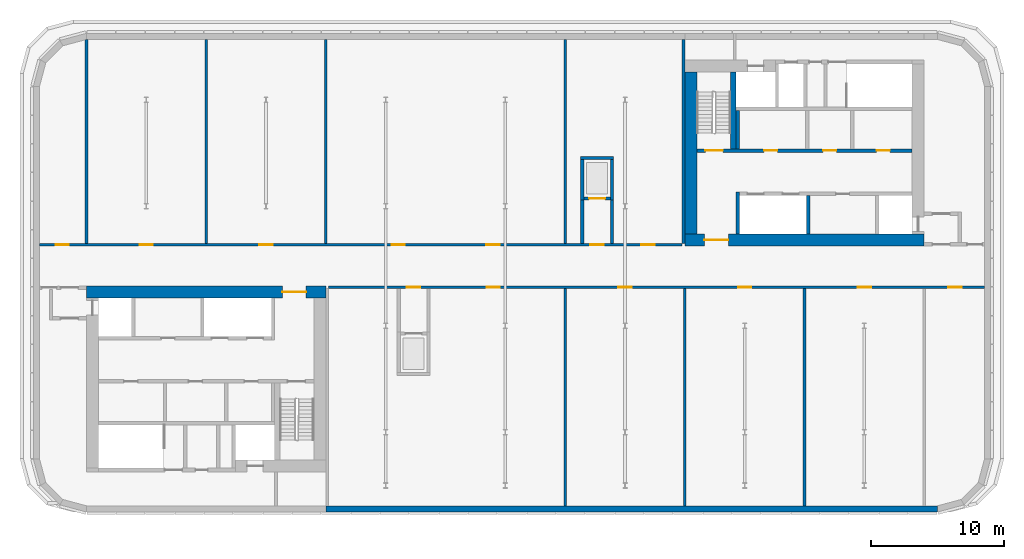
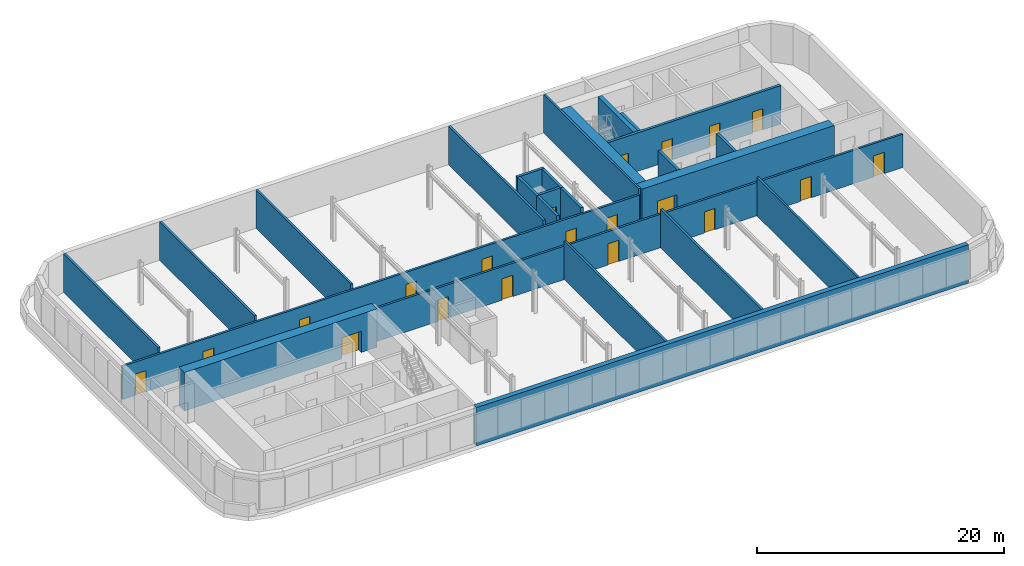
# One storey, part 5 of 10: 25 walls, 20 doors, 20 openings.
"""IFC4 building model written with IfcOpenShell, lengths in metres."""

from ifc_helpers import new_model, si_unit, direction, frame, frame_2d, origin, place, context, subcontext, project, spatial, rectangle, extrude, material, layer, layer_set, type_object, element, fill, save


model = new_model("IFC4")

# Units and contexts
model_context = context("Model", 3, precision=1e-05, world=origin(), true_north=direction((0.0, 1.0)))
body_context = subcontext(model_context, "Body", "Model", "MODEL_VIEW")
ifc_project = project(units=[si_unit("LENGTHUNIT", "METRE"), si_unit("AREAUNIT", "SQUARE_METRE"), si_unit("VOLUMEUNIT", "CUBIC_METRE"), si_unit("PLANEANGLEUNIT", "RADIAN"), si_unit("MASSUNIT", "GRAM", prefix="KILO")], contexts=[model_context])

# Site, building, storey
site_placement = place(None, origin())
site = spatial("IfcSite", under=ifc_project, at=site_placement, CompositionType="ELEMENT")
building_placement = place(site_placement, origin())
building = spatial("IfcBuilding", under=site, at=building_placement, Name="Kajstack Hotel Tower", CompositionType="ELEMENT")
storey_placement = place(building_placement, frame((0.0, 0.0, 313.60009765625)))
storey = spatial("IfcBuildingStorey", under=building, at=storey_placement, Name="L79", CompositionType="ELEMENT", Elevation=313.60009765625)

# Wall, opening, door
ifc_material_1 = material(Name="Concrete C60/75", Category="concrete")
ifc_layer_1 = layer(ifc_material_1, 0.89990234375)
ifc_layer_set_1 = layer_set([ifc_layer_1], Name="Core wall 900")
wall_type_1 = type_object("IfcWallType", Name="Core wall 900", PredefinedType="SHEAR", material=ifc_layer_set_1)
wall_1_placement = place(storey_placement, frame((-31.5, -1.949951171875, 0.0), z_axis=(0.0, 0.0, 1.0), x_axis=(1.0, 0.0, 0.0)))
wall_1 = element("IfcWall", 1, at=wall_1_placement, inside=storey, type_object=wall_type_1, Name="Core wall W RN", PredefinedType="SHEAR", context=body_context, shape_type="SweptSolid", body=[
    extrude(rectangle(XDim=18.0, YDim=0.89990234375, at=frame_2d((9.0, 0.0))), origin(), (0.0, 0.0, 1.0), 3.7998046875),
])
opening_1_placement = place(wall_1_placement, frame((14.72509765625, 0.0, 0.0)))
opening_1 = element("IfcOpeningElement", 2, at=opening_1_placement, cuts=wall_1, Name="Opening 79W06", PredefinedType="OPENING", context=body_context, shape_type="SweptSolid", body=[
    extrude(rectangle(XDim=1.800048828125, YDim=2.10009765625, at=frame_2d((0.89990234375, 1.050048828125))), frame((0.0, 0.4599609375, 0.0), z_axis=(0.0, -1.0, 0.0), x_axis=(1.0, 0.0, 0.0)), (0.0, 0.0, 1.0), 0.919921875),
])
ifc_material_2 = material(Name="Glazed steel frame, fire-rated glass", Category="steel")
door_type_1 = type_object("IfcDoorType", Name="Lobby double door 1800", OperationType="DOUBLE_DOOR_DOUBLE_SWING", PredefinedType="DOOR", material=ifc_material_2)
door_1_placement = place(opening_1_placement, origin())
door_1 = element("IfcDoor", 3, at=door_1_placement, inside=storey, type_object=door_type_1, Name="Door 79W06", OperationType="DOUBLE_DOOR_DOUBLE_SWING", OverallHeight=2.10009765625, OverallWidth=1.800048828125, PredefinedType="DOOR", context=body_context, shape_type="SweptSolid", body=[
    extrude(rectangle(XDim=1.800048828125, YDim=2.10009765625, at=frame_2d((0.89990234375, 1.050048828125))), frame((0.0, 0.02490234375, 0.0), z_axis=(0.0, -1.0, 0.0), x_axis=(1.0, 0.0, 0.0)), (0.0, 0.0, 1.0), 0.050048828125),
])
fill(opening_1, door_1)

wall_2_placement = place(storey_placement, frame((13.5, 1.949951171875, 0.0), z_axis=(0.0, 0.0, 1.0), x_axis=(1.0, 0.0, 0.0)))
wall_2 = element("IfcWall", 4, at=wall_2_placement, inside=storey, type_object=wall_type_1, Name="Core wall E RN", PredefinedType="SHEAR", context=body_context, shape_type="SweptSolid", body=[
    extrude(rectangle(XDim=18.0, YDim=0.89990234375, at=frame_2d((9.0, 0.0))), origin(), (0.0, 0.0, 1.0), 3.7998046875),
])
opening_2_placement = place(wall_2_placement, frame((1.47509765625, 0.0, 0.0)))
opening_2 = element("IfcOpeningElement", 5, at=opening_2_placement, cuts=wall_2, Name="Opening 79E06", PredefinedType="OPENING", context=body_context, shape_type="SweptSolid", body=[
    extrude(rectangle(XDim=1.800048828125, YDim=2.10009765625, at=frame_2d((0.89990234375, 1.050048828125))), frame((0.0, 0.4599609375, 0.0), z_axis=(0.0, -1.0, 0.0), x_axis=(1.0, 0.0, 0.0)), (0.0, 0.0, 1.0), 0.919921875),
])
door_2_placement = place(opening_2_placement, origin())
door_2 = element("IfcDoor", 6, at=door_2_placement, inside=storey, type_object=door_type_1, Name="Door 79E06", OperationType="DOUBLE_DOOR_DOUBLE_SWING", OverallHeight=2.10009765625, OverallWidth=1.800048828125, PredefinedType="DOOR", context=body_context, shape_type="SweptSolid", body=[
    extrude(rectangle(XDim=1.800048828125, YDim=2.10009765625, at=frame_2d((0.89990234375, 1.050048828125))), frame((0.0, 0.02490234375, 0.0), z_axis=(0.0, -1.0, 0.0), x_axis=(1.0, 0.0, 0.0)), (0.0, 0.0, 1.0), 0.050048828125),
])
fill(opening_2, door_2)

# Walls
wall_3_placement = place(storey_placement, frame((13.949951171875, 2.39990234375, 0.0), z_axis=(0.0, 0.0, 1.0), x_axis=(0.0, 1.0, 0.0)))
element("IfcWall", 7, at=wall_3_placement, inside=storey, type_object=wall_type_1, Name="Core wall E RE", PredefinedType="SHEAR", context=body_context, shape_type="SweptSolid", body=[
    extrude(rectangle(XDim=12.2001953125, YDim=0.89990234375, at=frame_2d((6.10009765625, 0.0))), origin(), (0.0, 0.0, 1.0), 3.7998046875),
])
ifc_material_3 = material(Name="Zinc-clad block masonry", Category="masonry")
ifc_layer_2 = layer(ifc_material_3, 0.449951171875)
ifc_layer_set_2 = layer_set([ifc_layer_2], Name="EW-ZINC")
wall_type_2 = type_object("IfcWallType", Name="EW-ZINC", PredefinedType="SOLIDWALL", material=ifc_layer_set_2)
wall_4_placement = place(storey_placement, frame((-13.5, -18.27490234375, 0.0), z_axis=(0.0, 0.0, 1.0), x_axis=(1.0, 0.0, 0.0)))
element("IfcWall", 8, at=wall_4_placement, inside=storey, type_object=wall_type_2, Name="E-wall-L79-03-01", PredefinedType="SOLIDWALL", context=body_context, shape_type="SweptSolid", body=[
    extrude(rectangle(XDim=46.0, YDim=0.449951171875, at=frame_2d((23.0, 0.0))), origin(), (0.0, 0.0, 1.0), 3.7998046875),
])
ifc_material_4 = material(Name="Concrete C50/60", Category="concrete")
ifc_layer_3 = layer(ifc_material_4, 0.300048828125)
ifc_layer_set_3 = layer_set([ifc_layer_3], Name="Hoistway divider wall 300")
wall_type_3 = type_object("IfcWallType", Name="Hoistway divider wall 300", PredefinedType="SHEAR", material=ifc_layer_set_3)
wall_5_placement = place(storey_placement, frame((22.77490234375, 2.39990234375, 0.0), z_axis=(0.0, 0.0, 1.0), x_axis=(0.0, 1.0, 0.0)))
element("IfcWall", 9, at=wall_5_placement, inside=storey, type_object=wall_type_3, Name="Core wall E AP2", PredefinedType="SHEAR", context=body_context, shape_type="SweptSolid", body=[
    extrude(rectangle(XDim=2.900146484375, YDim=0.25, at=frame_2d((1.4501953125, 0.0))), origin(), (0.0, 0.0, 1.0), 3.7998046875),
])
ifc_material_5 = material(Name="Gypsum board on steel studs, mineral wool", Category="steel")
ifc_layer_4 = layer(ifc_material_5, 0.199951171875)
ifc_layer_set_4 = layer_set([ifc_layer_4], Name="Public partition 200")
wall_type_4 = type_object("IfcWallType", Name="Public partition 200", PredefinedType="PARTITIONING", material=ifc_layer_set_4)
for number, where, z_axis, x_axis, name in (
    (10, (4.5, 1.699951171875, 0.0), (0.0, 0.0, 1.0), (0.0, 1.0, 0.0), "Partition PX0"),
    (11, (-13.5, 1.699951171875, 0.0), (0.0, 0.0, 1.0), (0.0, 1.0, 0.0), "Partition PX1"),
    (12, (-22.5, 1.699951171875, 0.0), (0.0, 0.0, 1.0), (0.0, 1.0, 0.0), "Partition PX2"),
):
    element("IfcWall", number, at=place(storey_placement, frame(where, z_axis=z_axis, x_axis=x_axis)), inside=storey, type_object=wall_type_4, Name=name, PredefinedType="PARTITIONING", context=body_context, shape_type="SweptSolid", body=[
        extrude(rectangle(XDim=15.35009765625, YDim=0.199951171875, at=frame_2d((7.675048828125, 0.0))), origin(), (0.0, 0.0, 1.0), 3.7998046875),
    ])
wall_6_placement = place(storey_placement, frame((-31.5, 1.699951171875, 0.0), z_axis=(0.0, 0.0, 1.0), x_axis=(0.0, 1.0, 0.0)))
element("IfcWall", 13, at=wall_6_placement, inside=storey, type_object=wall_type_4, Name="Partition PX3", PredefinedType="PARTITIONING", context=body_context, shape_type="SweptSolid", body=[
    extrude(rectangle(XDim=15.334228515625, YDim=0.199951171875, at=frame_2d((7.6669921875, 0.0))), origin(), (0.0, 0.0, 1.0), 3.7998046875),
])

# Wall, openings, doors
wall_7_placement = place(storey_placement, frame((-35.050048828125, 1.60009765625, 0.0), z_axis=(0.0, 0.0, 1.0), x_axis=(1.0, 0.0, 0.0)))
wall_7 = element("IfcWall", 14, at=wall_7_placement, inside=storey, type_object=wall_type_4, Name="Partition FW", PredefinedType="PARTITIONING", context=body_context, shape_type="SweptSolid", body=[
    extrude(rectangle(XDim=48.35009765625, YDim=0.199951171875, at=frame_2d((24.175048828125, 0.0))), origin(), (0.0, 0.0, 1.0), 3.2998046875),
])
opening_3_placement = place(wall_7_placement, frame((45.27490234375, 0.0, 0.0)))
opening_3 = element("IfcOpeningElement", 15, at=opening_3_placement, cuts=wall_7, Name="Opening 79P01", PredefinedType="OPENING", context=body_context, shape_type="SweptSolid", body=[
    extrude(rectangle(XDim=1.0, YDim=2.10009765625, at=frame_2d((0.5, 1.050048828125))), frame((0.0, 0.10986328125, 0.0), z_axis=(0.0, -1.0, 0.0), x_axis=(1.0, 0.0, 0.0)), (0.0, 0.0, 1.0), 0.219970703125),
])
opening_4_placement = place(wall_7_placement, frame((33.610107421875, 0.0, 0.0)))
opening_4 = element("IfcOpeningElement", 16, at=opening_4_placement, cuts=wall_7, Name="Opening 79P02", PredefinedType="OPENING", context=body_context, shape_type="SweptSolid", body=[
    extrude(rectangle(XDim=1.0, YDim=2.10009765625, at=frame_2d((0.5, 1.050048828125))), frame((0.0, 0.10986328125, 0.0), z_axis=(0.0, -1.0, 0.0), x_axis=(1.0, 0.0, 0.0)), (0.0, 0.0, 1.0), 0.219970703125),
])
opening_5_placement = place(wall_7_placement, frame((26.489990234375, 0.0, 0.0)))
opening_5 = element("IfcOpeningElement", 17, at=opening_5_placement, cuts=wall_7, Name="Opening 79P03", PredefinedType="OPENING", context=body_context, shape_type="SweptSolid", body=[
    extrude(rectangle(XDim=1.0, YDim=2.10009765625, at=frame_2d((0.5, 1.050048828125))), frame((0.0, 0.10986328125, 0.0), z_axis=(0.0, -1.0, 0.0), x_axis=(1.0, 0.0, 0.0)), (0.0, 0.0, 1.0), 0.219970703125),
])
opening_6_placement = place(wall_7_placement, frame((16.550048828125, 0.0, 0.0)))
opening_6 = element("IfcOpeningElement", 18, at=opening_6_placement, cuts=wall_7, Name="Opening 79P04", PredefinedType="OPENING", context=body_context, shape_type="SweptSolid", body=[
    extrude(rectangle(XDim=1.0, YDim=2.10009765625, at=frame_2d((0.5, 1.050048828125))), frame((0.0, 0.10986328125, 0.0), z_axis=(0.0, -1.0, 0.0), x_axis=(1.0, 0.0, 0.0)), (0.0, 0.0, 1.0), 0.219970703125),
])
opening_7_placement = place(wall_7_placement, frame((7.550048828125, 0.0, 0.0)))
opening_7 = element("IfcOpeningElement", 19, at=opening_7_placement, cuts=wall_7, Name="Opening 79P05", PredefinedType="OPENING", context=body_context, shape_type="SweptSolid", body=[
    extrude(rectangle(XDim=1.0, YDim=2.10009765625, at=frame_2d((0.5, 1.050048828125))), frame((0.0, 0.10986328125, 0.0), z_axis=(0.0, -1.0, 0.0), x_axis=(1.0, 0.0, 0.0)), (0.0, 0.0, 1.0), 0.219970703125),
])
opening_8_placement = place(wall_7_placement, frame((1.22509765625, 0.0, 0.0)))
opening_8 = element("IfcOpeningElement", 20, at=opening_8_placement, cuts=wall_7, Name="Opening 79P06", PredefinedType="OPENING", context=body_context, shape_type="SweptSolid", body=[
    extrude(rectangle(XDim=1.0, YDim=2.10009765625, at=frame_2d((0.5, 1.050048828125))), frame((0.0, 0.10986328125, 0.0), z_axis=(0.0, -1.0, 0.0), x_axis=(1.0, 0.0, 0.0)), (0.0, 0.0, 1.0), 0.219970703125),
])
opening_9_placement = place(wall_7_placement, frame((41.449951171875, 0.0, 0.0)))
opening_9 = element("IfcOpeningElement", 21, at=opening_9_placement, cuts=wall_7, Name="Opening 79P13", PredefinedType="OPENING", context=body_context, shape_type="SweptSolid", body=[
    extrude(rectangle(XDim=1.0, YDim=2.10009765625, at=frame_2d((0.5, 1.050048828125))), frame((0.0, 0.10986328125, 0.0), z_axis=(0.0, -1.0, 0.0), x_axis=(1.0, 0.0, 0.0)), (0.0, 0.0, 1.0), 0.219970703125),
])
ifc_material_6 = material(Name="Timber leaf", Category="wood")
door_type_2 = type_object("IfcDoorType", Name="Public room door 1000", OperationType="SINGLE_SWING_LEFT", PredefinedType="DOOR", material=ifc_material_6)
door_3_placement = place(opening_3_placement, origin())
door_3 = element("IfcDoor", 22, at=door_3_placement, inside=storey, type_object=door_type_2, Name="Door 79P01", OperationType="SINGLE_SWING_LEFT", OverallHeight=2.10009765625, OverallWidth=1.0, PredefinedType="DOOR", context=body_context, shape_type="SweptSolid", body=[
    extrude(rectangle(XDim=1.0, YDim=2.10009765625, at=frame_2d((0.5, 1.050048828125))), frame((0.0, 0.02490234375, 0.0), z_axis=(0.0, -1.0, 0.0), x_axis=(1.0, 0.0, 0.0)), (0.0, 0.0, 1.0), 0.050048828125),
])
fill(opening_3, door_3)
door_4_placement = place(opening_4_placement, origin())
door_4 = element("IfcDoor", 23, at=door_4_placement, inside=storey, type_object=door_type_2, Name="Door 79P02", OperationType="SINGLE_SWING_LEFT", OverallHeight=2.10009765625, OverallWidth=1.0, PredefinedType="DOOR", context=body_context, shape_type="SweptSolid", body=[
    extrude(rectangle(XDim=1.0, YDim=2.10009765625, at=frame_2d((0.5, 1.050048828125))), frame((0.0, 0.02490234375, 0.0), z_axis=(0.0, -1.0, 0.0), x_axis=(1.0, 0.0, 0.0)), (0.0, 0.0, 1.0), 0.050048828125),
])
fill(opening_4, door_4)
door_5_placement = place(opening_5_placement, origin())
door_5 = element("IfcDoor", 24, at=door_5_placement, inside=storey, type_object=door_type_2, Name="Door 79P03", OperationType="SINGLE_SWING_LEFT", OverallHeight=2.10009765625, OverallWidth=1.0, PredefinedType="DOOR", context=body_context, shape_type="SweptSolid", body=[
    extrude(rectangle(XDim=1.0, YDim=2.10009765625, at=frame_2d((0.5, 1.050048828125))), frame((0.0, 0.02490234375, 0.0), z_axis=(0.0, -1.0, 0.0), x_axis=(1.0, 0.0, 0.0)), (0.0, 0.0, 1.0), 0.050048828125),
])
fill(opening_5, door_5)
door_6_placement = place(opening_6_placement, origin())
door_6 = element("IfcDoor", 25, at=door_6_placement, inside=storey, type_object=door_type_2, Name="Door 79P04", OperationType="SINGLE_SWING_LEFT", OverallHeight=2.10009765625, OverallWidth=1.0, PredefinedType="DOOR", context=body_context, shape_type="SweptSolid", body=[
    extrude(rectangle(XDim=1.0, YDim=2.10009765625, at=frame_2d((0.5, 1.050048828125))), frame((0.0, 0.02490234375, 0.0), z_axis=(0.0, -1.0, 0.0), x_axis=(1.0, 0.0, 0.0)), (0.0, 0.0, 1.0), 0.050048828125),
])
fill(opening_6, door_6)
door_7_placement = place(opening_7_placement, origin())
door_7 = element("IfcDoor", 26, at=door_7_placement, inside=storey, type_object=door_type_2, Name="Door 79P05", OperationType="SINGLE_SWING_LEFT", OverallHeight=2.10009765625, OverallWidth=1.0, PredefinedType="DOOR", context=body_context, shape_type="SweptSolid", body=[
    extrude(rectangle(XDim=1.0, YDim=2.10009765625, at=frame_2d((0.5, 1.050048828125))), frame((0.0, 0.02490234375, 0.0), z_axis=(0.0, -1.0, 0.0), x_axis=(1.0, 0.0, 0.0)), (0.0, 0.0, 1.0), 0.050048828125),
])
fill(opening_7, door_7)
door_8_placement = place(opening_8_placement, origin())
door_8 = element("IfcDoor", 27, at=door_8_placement, inside=storey, type_object=door_type_2, Name="Door 79P06", OperationType="SINGLE_SWING_LEFT", OverallHeight=2.10009765625, OverallWidth=1.0, PredefinedType="DOOR", context=body_context, shape_type="SweptSolid", body=[
    extrude(rectangle(XDim=1.0, YDim=2.10009765625, at=frame_2d((0.5, 1.050048828125))), frame((0.0, 0.02490234375, 0.0), z_axis=(0.0, -1.0, 0.0), x_axis=(1.0, 0.0, 0.0)), (0.0, 0.0, 1.0), 0.050048828125),
])
fill(opening_8, door_8)
door_9_placement = place(opening_9_placement, origin())
door_9 = element("IfcDoor", 28, at=door_9_placement, inside=storey, type_object=door_type_2, Name="Door 79P13", OperationType="SINGLE_SWING_LEFT", OverallHeight=2.10009765625, OverallWidth=1.0, PredefinedType="DOOR", context=body_context, shape_type="SweptSolid", body=[
    extrude(rectangle(XDim=1.0, YDim=2.10009765625, at=frame_2d((0.5, 1.050048828125))), frame((0.0, 0.02490234375, 0.0), z_axis=(0.0, -1.0, 0.0), x_axis=(1.0, 0.0, 0.0)), (0.0, 0.0, 1.0), 0.050048828125),
])
fill(opening_9, door_9)

# Walls
wall_8_placement = place(storey_placement, frame((13.39990234375, 1.699951171875, 0.0), z_axis=(0.0, 0.0, 1.0), x_axis=(0.0, 1.0, 0.0)))
element("IfcWall", 29, at=wall_8_placement, inside=storey, type_object=wall_type_4, Name="Partition EW", PredefinedType="PARTITIONING", context=body_context, shape_type="SweptSolid", body=[
    extrude(rectangle(XDim=15.35009765625, YDim=0.199951171875, at=frame_2d((7.675048828125, 0.0))), origin(), (0.0, 0.0, 1.0), 3.7998046875),
])
for number, where, z_axis, x_axis, name in (
    (30, (4.5, -18.050048828125, 0.0), (0.0, 0.0, 1.0), (0.0, 1.0, 0.0), "Partition SPX0"),
    (31, (13.5, -18.050048828125, 0.0), (0.0, 0.0, 1.0), (0.0, 1.0, 0.0), "Partition SPX1"),
    (32, (22.5, -18.050048828125, 0.0), (0.0, 0.0, 1.0), (0.0, 1.0, 0.0), "Partition SPX2"),
):
    element("IfcWall", number, at=place(storey_placement, frame(where, z_axis=z_axis, x_axis=x_axis)), inside=storey, type_object=wall_type_4, Name=name, PredefinedType="PARTITIONING", context=body_context, shape_type="SweptSolid", body=[
        extrude(rectangle(XDim=16.35009765625, YDim=0.199951171875, at=frame_2d((8.175048828125, 0.0))), origin(), (0.0, 0.0, 1.0), 3.7998046875),
    ])

# Wall, openings, doors
wall_9_placement = place(storey_placement, frame((-13.300048828125, -1.60009765625, 0.0), z_axis=(0.0, 0.0, 1.0), x_axis=(1.0, 0.0, 0.0)))
wall_9 = element("IfcWall", 33, at=wall_9_placement, inside=storey, type_object=wall_type_4, Name="Partition SFW", PredefinedType="PARTITIONING", context=body_context, shape_type="SweptSolid", body=[
    extrude(rectangle(XDim=49.35009765625, YDim=0.199951171875, at=frame_2d((24.675048828125, 0.0))), origin(), (0.0, 0.0, 1.0), 3.2998046875),
])
opening_10_placement = place(wall_9_placement, frame((11.889892578125, 0.0, 0.0)))
opening_10 = element("IfcOpeningElement", 34, at=opening_10_placement, cuts=wall_9, Name="Opening 79P07", PredefinedType="OPENING", context=body_context, shape_type="SweptSolid", body=[
    extrude(rectangle(XDim=1.0, YDim=2.10009765625, at=frame_2d((0.5, 1.050048828125))), frame((0.0, 0.10986328125, 0.0), z_axis=(0.0, -1.0, 0.0), x_axis=(1.0, 0.0, 0.0)), (0.0, 0.0, 1.0), 0.219970703125),
])
opening_11_placement = place(wall_9_placement, frame((21.800048828125, 0.0, 0.0)))
opening_11 = element("IfcOpeningElement", 35, at=opening_11_placement, cuts=wall_9, Name="Opening 79P08", PredefinedType="OPENING", context=body_context, shape_type="SweptSolid", body=[
    extrude(rectangle(XDim=1.0, YDim=2.10009765625, at=frame_2d((0.5, 1.050048828125))), frame((0.0, 0.10986328125, 0.0), z_axis=(0.0, -1.0, 0.0), x_axis=(1.0, 0.0, 0.0)), (0.0, 0.0, 1.0), 0.219970703125),
])
opening_12_placement = place(wall_9_placement, frame((30.800048828125, 0.0, 0.0)))
opening_12 = element("IfcOpeningElement", 36, at=opening_12_placement, cuts=wall_9, Name="Opening 79P09", PredefinedType="OPENING", context=body_context, shape_type="SweptSolid", body=[
    extrude(rectangle(XDim=1.0, YDim=2.10009765625, at=frame_2d((0.5, 1.050048828125))), frame((0.0, 0.10986328125, 0.0), z_axis=(0.0, -1.0, 0.0), x_axis=(1.0, 0.0, 0.0)), (0.0, 0.0, 1.0), 0.219970703125),
])
opening_13_placement = place(wall_9_placement, frame((39.800048828125, 0.0, 0.0)))
opening_13 = element("IfcOpeningElement", 37, at=opening_13_placement, cuts=wall_9, Name="Opening 79P10", PredefinedType="OPENING", context=body_context, shape_type="SweptSolid", body=[
    extrude(rectangle(XDim=1.0, YDim=2.10009765625, at=frame_2d((0.5, 1.050048828125))), frame((0.0, 0.10986328125, 0.0), z_axis=(0.0, -1.0, 0.0), x_axis=(1.0, 0.0, 0.0)), (0.0, 0.0, 1.0), 0.219970703125),
])
opening_14_placement = place(wall_9_placement, frame((46.625, 0.0, 0.0)))
opening_14 = element("IfcOpeningElement", 38, at=opening_14_placement, cuts=wall_9, Name="Opening 79P11", PredefinedType="OPENING", context=body_context, shape_type="SweptSolid", body=[
    extrude(rectangle(XDim=1.0, YDim=2.10009765625, at=frame_2d((0.5, 1.050048828125))), frame((0.0, 0.10986328125, 0.0), z_axis=(0.0, -1.0, 0.0), x_axis=(1.0, 0.0, 0.0)), (0.0, 0.0, 1.0), 0.219970703125),
])
opening_15_placement = place(wall_9_placement, frame((5.89990234375, 0.0, 0.0)))
opening_15 = element("IfcOpeningElement", 39, at=opening_15_placement, cuts=wall_9, Name="Opening 79P12", PredefinedType="OPENING", context=body_context, shape_type="SweptSolid", body=[
    extrude(rectangle(XDim=1.0, YDim=2.10009765625, at=frame_2d((0.5, 1.050048828125))), frame((0.0, 0.10986328125, 0.0), z_axis=(0.0, -1.0, 0.0), x_axis=(1.0, 0.0, 0.0)), (0.0, 0.0, 1.0), 0.219970703125),
])
door_10_placement = place(opening_10_placement, origin())
door_10 = element("IfcDoor", 40, at=door_10_placement, inside=storey, type_object=door_type_2, Name="Door 79P07", OperationType="SINGLE_SWING_RIGHT", OverallHeight=2.10009765625, OverallWidth=1.0, PredefinedType="DOOR", context=body_context, shape_type="SweptSolid", body=[
    extrude(rectangle(XDim=1.0, YDim=2.10009765625, at=frame_2d((0.5, 1.050048828125))), frame((0.0, 0.02490234375, 0.0), z_axis=(0.0, -1.0, 0.0), x_axis=(1.0, 0.0, 0.0)), (0.0, 0.0, 1.0), 0.050048828125),
])
fill(opening_10, door_10)
door_11_placement = place(opening_11_placement, origin())
door_11 = element("IfcDoor", 41, at=door_11_placement, inside=storey, type_object=door_type_2, Name="Door 79P08", OperationType="SINGLE_SWING_RIGHT", OverallHeight=2.10009765625, OverallWidth=1.0, PredefinedType="DOOR", context=body_context, shape_type="SweptSolid", body=[
    extrude(rectangle(XDim=1.0, YDim=2.10009765625, at=frame_2d((0.5, 1.050048828125))), frame((0.0, 0.02490234375, 0.0), z_axis=(0.0, -1.0, 0.0), x_axis=(1.0, 0.0, 0.0)), (0.0, 0.0, 1.0), 0.050048828125),
])
fill(opening_11, door_11)
door_12_placement = place(opening_12_placement, origin())
door_12 = element("IfcDoor", 42, at=door_12_placement, inside=storey, type_object=door_type_2, Name="Door 79P09", OperationType="SINGLE_SWING_RIGHT", OverallHeight=2.10009765625, OverallWidth=1.0, PredefinedType="DOOR", context=body_context, shape_type="SweptSolid", body=[
    extrude(rectangle(XDim=1.0, YDim=2.10009765625, at=frame_2d((0.5, 1.050048828125))), frame((0.0, 0.02490234375, 0.0), z_axis=(0.0, -1.0, 0.0), x_axis=(1.0, 0.0, 0.0)), (0.0, 0.0, 1.0), 0.050048828125),
])
fill(opening_12, door_12)
door_13_placement = place(opening_13_placement, origin())
door_13 = element("IfcDoor", 43, at=door_13_placement, inside=storey, type_object=door_type_2, Name="Door 79P10", OperationType="SINGLE_SWING_RIGHT", OverallHeight=2.10009765625, OverallWidth=1.0, PredefinedType="DOOR", context=body_context, shape_type="SweptSolid", body=[
    extrude(rectangle(XDim=1.0, YDim=2.10009765625, at=frame_2d((0.5, 1.050048828125))), frame((0.0, 0.02490234375, 0.0), z_axis=(0.0, -1.0, 0.0), x_axis=(1.0, 0.0, 0.0)), (0.0, 0.0, 1.0), 0.050048828125),
])
fill(opening_13, door_13)
door_14_placement = place(opening_14_placement, origin())
door_14 = element("IfcDoor", 44, at=door_14_placement, inside=storey, type_object=door_type_2, Name="Door 79P11", OperationType="SINGLE_SWING_RIGHT", OverallHeight=2.10009765625, OverallWidth=1.0, PredefinedType="DOOR", context=body_context, shape_type="SweptSolid", body=[
    extrude(rectangle(XDim=1.0, YDim=2.10009765625, at=frame_2d((0.5, 1.050048828125))), frame((0.0, 0.02490234375, 0.0), z_axis=(0.0, -1.0, 0.0), x_axis=(1.0, 0.0, 0.0)), (0.0, 0.0, 1.0), 0.050048828125),
])
fill(opening_14, door_14)
door_15_placement = place(opening_15_placement, origin())
door_15 = element("IfcDoor", 45, at=door_15_placement, inside=storey, type_object=door_type_2, Name="Door 79P12", OperationType="SINGLE_SWING_RIGHT", OverallHeight=2.10009765625, OverallWidth=1.0, PredefinedType="DOOR", context=body_context, shape_type="SweptSolid", body=[
    extrude(rectangle(XDim=1.0, YDim=2.10009765625, at=frame_2d((0.5, 1.050048828125))), frame((0.0, 0.02490234375, 0.0), z_axis=(0.0, -1.0, 0.0), x_axis=(1.0, 0.0, 0.0)), (0.0, 0.0, 1.0), 0.050048828125),
])
fill(opening_15, door_15)

# Walls
ifc_layer_5 = layer(ifc_material_5, 0.199951171875)
ifc_layer_set_5 = layer_set([ifc_layer_5], Name="Service partition 200")
wall_type_5 = type_object("IfcWallType", Name="Service partition 200", PredefinedType="PARTITIONING", material=ifc_layer_set_5)
for number, where, z_axis, x_axis, name in (
    (46, (8.02490234375, 1.699951171875, 0.0), (0.0, 0.0, 1.0), (0.0, 1.0, 0.0), "Partition E CLLW"),
    (47, (5.77490234375, 1.699951171875, 0.0), (0.0, 0.0, 1.0), (0.0, 1.0, 0.0), "Partition E CLLE"),
):
    element("IfcWall", number, at=place(storey_placement, frame(where, z_axis=z_axis, x_axis=x_axis)), inside=storey, type_object=wall_type_5, Name=name, PredefinedType="PARTITIONING", context=body_context, shape_type="SweptSolid", body=[
        extrude(rectangle(XDim=3.25, YDim=0.25, at=frame_2d((1.625, 0.0))), origin(), (0.0, 0.0, 1.0), 3.7998046875),
    ])
ifc_layer_6 = layer(ifc_material_4, 0.25)
ifc_layer_set_6 = layer_set([ifc_layer_6], Name="Shaft wall 250")
wall_type_6 = type_object("IfcWallType", Name="Shaft wall 250", PredefinedType="SHEAR", material=ifc_layer_set_6)
wall_10_placement = place(storey_placement, frame((5.64990234375, 8.125, 0.0), z_axis=(0.0, 0.0, 1.0), x_axis=(1.0, 0.0, 0.0)))
element("IfcWall", 48, at=wall_10_placement, inside=storey, type_object=wall_type_6, Name="Core wall E CLS", PredefinedType="SHEAR", context=body_context, shape_type="SweptSolid", body=[
    extrude(rectangle(XDim=2.5, YDim=0.25, at=frame_2d((1.25, 0.0))), origin(), (0.0, 0.0, 1.0), 3.7998046875),
])
for number, where, z_axis, x_axis, name in (
    (49, (8.02490234375, 4.949951171875, 0.0), (0.0, 0.0, 1.0), (0.0, 1.0, 0.0), "Core wall E CLW"),
    (50, (5.77490234375, 4.949951171875, 0.0), (0.0, 0.0, 1.0), (0.0, 1.0, 0.0), "Core wall E CLE"),
):
    element("IfcWall", number, at=place(storey_placement, frame(where, z_axis=z_axis, x_axis=x_axis)), inside=storey, type_object=wall_type_6, Name=name, PredefinedType="SHEAR", context=body_context, shape_type="SweptSolid", body=[
        extrude(rectangle(XDim=3.050048828125, YDim=0.25, at=frame_2d((1.52490234375, 0.0))), origin(), (0.0, 0.0, 1.0), 3.7998046875),
    ])

# Wall, opening, door
wall_11_placement = place(storey_placement, frame((5.89990234375, 5.074951171875, 0.0), z_axis=(0.0, 0.0, 1.0), x_axis=(1.0, 0.0, 0.0)))
wall_11 = element("IfcWall", 51, at=wall_11_placement, inside=storey, type_object=wall_type_6, Name="Core wall E CLN", PredefinedType="SHEAR", context=body_context, shape_type="SweptSolid", body=[
    extrude(rectangle(XDim=2.0, YDim=0.25, at=frame_2d((1.0, 0.0))), origin(), (0.0, 0.0, 1.0), 3.7998046875),
])
opening_16_placement = place(wall_11_placement, frame((0.39990234375, 0.0, 0.0)))
opening_16 = element("IfcOpeningElement", 52, at=opening_16_placement, cuts=wall_11, Name="Opening LD-CL2", PredefinedType="OPENING", context=body_context, shape_type="SweptSolid", body=[
    extrude(rectangle(XDim=1.199951171875, YDim=2.10009765625, at=frame_2d((0.60009765625, 1.050048828125))), frame((0.0, 0.135009765625, 0.0), z_axis=(0.0, -1.0, 0.0), x_axis=(1.0, 0.0, 0.0)), (0.0, 0.0, 1.0), 0.27001953125),
])
ifc_material_7 = material(Name="Stainless steel", Category="steel")
door_type_3 = type_object("IfcDoorType", Name="Lift landing door 1200", OperationType="SLIDING_TO_LEFT", PredefinedType="DOOR", material=ifc_material_7)
door_16_placement = place(opening_16_placement, origin())
door_16 = element("IfcDoor", 53, at=door_16_placement, inside=storey, type_object=door_type_3, Name="Landing door CL2", OperationType="SLIDING_TO_LEFT", OverallHeight=2.10009765625, OverallWidth=1.199951171875, PredefinedType="DOOR", context=body_context, shape_type="SweptSolid", body=[
    extrude(rectangle(XDim=1.199951171875, YDim=2.10009765625, at=frame_2d((0.60009765625, 1.050048828125))), frame((0.0, 0.02490234375, 0.0), z_axis=(0.0, -1.0, 0.0), x_axis=(1.0, 0.0, 0.0)), (0.0, 0.0, 1.0), 0.050048828125),
])
fill(opening_16, door_16)

# Wall
wall_12_placement = place(storey_placement, frame((17.47509765625, 2.39990234375, 0.0), z_axis=(0.0, 0.0, 1.0), x_axis=(0.0, 1.0, 0.0)))
element("IfcWall", 54, at=wall_12_placement, inside=storey, type_object=wall_type_6, Name="Core wall E AE", PredefinedType="SHEAR", context=body_context, shape_type="SweptSolid", body=[
    extrude(rectangle(XDim=3.150146484375, YDim=0.25, at=frame_2d((1.5751953125, 0.0))), origin(), (0.0, 0.0, 1.0), 3.7998046875),
])

# Wall, openings, doors
wall_13_placement = place(storey_placement, frame((14.39990234375, 8.675048828125, 0.0), z_axis=(0.0, 0.0, 1.0), x_axis=(1.0, 0.0, 0.0)))
wall_13 = element("IfcWall", 55, at=wall_13_placement, inside=storey, type_object=wall_type_6, Name="Core wall E FB", PredefinedType="SHEAR", context=body_context, shape_type="SweptSolid", body=[
    extrude(rectangle(XDim=16.2001953125, YDim=0.25, at=frame_2d((8.10009765625, 0.0))), origin(), (0.0, 0.0, 1.0), 3.7998046875),
])
opening_17_placement = place(wall_13_placement, frame((0.64990234375, 0.0, 0.0)))
opening_17 = element("IfcOpeningElement", 56, at=opening_17_placement, cuts=wall_13, Name="Opening 79E10", PredefinedType="OPENING", context=body_context, shape_type="SweptSolid", body=[
    extrude(rectangle(XDim=1.300048828125, YDim=2.10009765625, at=frame_2d((0.64990234375, 1.050048828125))), frame((0.0, 0.135009765625, 0.0), z_axis=(0.0, -1.0, 0.0), x_axis=(1.0, 0.0, 0.0)), (0.0, 0.0, 1.0), 0.27001953125),
])
opening_18_placement = place(wall_13_placement, frame((13.512451171875, 0.0, 0.0)))
opening_18 = element("IfcOpeningElement", 57, at=opening_18_placement, cuts=wall_13, Name="Opening 79E14", PredefinedType="OPENING", context=body_context, shape_type="SweptSolid", body=[
    extrude(rectangle(XDim=1.0, YDim=2.10009765625, at=frame_2d((0.5, 1.050048828125))), frame((0.0, 0.135009765625, 0.0), z_axis=(0.0, -1.0, 0.0), x_axis=(1.0, 0.0, 0.0)), (0.0, 0.0, 1.0), 0.27001953125),
])
opening_19_placement = place(wall_13_placement, frame((9.5, 0.0, 0.0)))
opening_19 = element("IfcOpeningElement", 58, at=opening_19_placement, cuts=wall_13, Name="Opening 79E15", PredefinedType="OPENING", context=body_context, shape_type="SweptSolid", body=[
    extrude(rectangle(XDim=1.0, YDim=2.10009765625, at=frame_2d((0.5, 1.050048828125))), frame((0.0, 0.135009765625, 0.0), z_axis=(0.0, -1.0, 0.0), x_axis=(1.0, 0.0, 0.0)), (0.0, 0.0, 1.0), 0.27001953125),
])
opening_20_placement = place(wall_13_placement, frame((5.0625, 0.0, 0.0)))
opening_20 = element("IfcOpeningElement", 59, at=opening_20_placement, cuts=wall_13, Name="Opening 79E16", PredefinedType="OPENING", context=body_context, shape_type="SweptSolid", body=[
    extrude(rectangle(XDim=1.0, YDim=2.10009765625, at=frame_2d((0.5, 1.050048828125))), frame((0.0, 0.135009765625, 0.0), z_axis=(0.0, -1.0, 0.0), x_axis=(1.0, 0.0, 0.0)), (0.0, 0.0, 1.0), 0.27001953125),
])
ifc_material_8 = material(Name="Timber leaf, fire-rated", Category="wood")
door_type_4 = type_object("IfcDoorType", Name="Service room door 1000", OperationType="SINGLE_SWING_LEFT", PredefinedType="DOOR", material=ifc_material_8)
door_17_placement = place(opening_18_placement, origin())
door_17 = element("IfcDoor", 60, at=door_17_placement, inside=storey, type_object=door_type_4, Name="Door 79E14", OperationType="SINGLE_SWING_LEFT", OverallHeight=2.10009765625, OverallWidth=1.0, PredefinedType="DOOR", context=body_context, shape_type="SweptSolid", body=[
    extrude(rectangle(XDim=1.0, YDim=2.10009765625, at=frame_2d((0.5, 1.050048828125))), frame((0.0, 0.02490234375, 0.0), z_axis=(0.0, -1.0, 0.0), x_axis=(1.0, 0.0, 0.0)), (0.0, 0.0, 1.0), 0.050048828125),
])
fill(opening_18, door_17)
door_18_placement = place(opening_19_placement, origin())
door_18 = element("IfcDoor", 61, at=door_18_placement, inside=storey, type_object=door_type_4, Name="Door 79E15", OperationType="SINGLE_SWING_LEFT", OverallHeight=2.10009765625, OverallWidth=1.0, PredefinedType="DOOR", context=body_context, shape_type="SweptSolid", body=[
    extrude(rectangle(XDim=1.0, YDim=2.10009765625, at=frame_2d((0.5, 1.050048828125))), frame((0.0, 0.02490234375, 0.0), z_axis=(0.0, -1.0, 0.0), x_axis=(1.0, 0.0, 0.0)), (0.0, 0.0, 1.0), 0.050048828125),
])
fill(opening_19, door_18)
door_19_placement = place(opening_20_placement, origin())
door_19 = element("IfcDoor", 62, at=door_19_placement, inside=storey, type_object=door_type_4, Name="Door 79E16", OperationType="SINGLE_SWING_LEFT", OverallHeight=2.10009765625, OverallWidth=1.0, PredefinedType="DOOR", context=body_context, shape_type="SweptSolid", body=[
    extrude(rectangle(XDim=1.0, YDim=2.10009765625, at=frame_2d((0.5, 1.050048828125))), frame((0.0, 0.02490234375, 0.0), z_axis=(0.0, -1.0, 0.0), x_axis=(1.0, 0.0, 0.0)), (0.0, 0.0, 1.0), 0.050048828125),
])
fill(opening_20, door_19)
ifc_material_9 = material(Name="Steel leaf, fire-rated", Category="steel")
door_type_5 = type_object("IfcDoorType", Name="Stair door 1300", OperationType="SINGLE_SWING_LEFT", PredefinedType="DOOR", material=ifc_material_9)
door_20_placement = place(opening_17_placement, origin())
door_20 = element("IfcDoor", 63, at=door_20_placement, inside=storey, type_object=door_type_5, Name="Door 79E10", OperationType="SINGLE_SWING_LEFT", OverallHeight=2.10009765625, OverallWidth=1.300048828125, PredefinedType="DOOR", context=body_context, shape_type="SweptSolid", body=[
    extrude(rectangle(XDim=1.300048828125, YDim=2.10009765625, at=frame_2d((0.64990234375, 1.050048828125))), frame((0.0, 0.02490234375, 0.0), z_axis=(0.0, -1.0, 0.0), x_axis=(1.0, 0.0, 0.0)), (0.0, 0.0, 1.0), 0.050048828125),
])
fill(opening_17, door_20)

# Walls
wall_14_placement = place(storey_placement, frame((17.47509765625, 8.800048828125, 0.0), z_axis=(0.0, 0.0, 1.0), x_axis=(0.0, 1.0, 0.0)))
element("IfcWall", 64, at=wall_14_placement, inside=storey, type_object=wall_type_6, Name="Core wall E BE", PredefinedType="SHEAR", context=body_context, shape_type="SweptSolid", body=[
    extrude(rectangle(XDim=2.89990234375, YDim=0.25, at=frame_2d((1.449951171875, 0.0))), origin(), (0.0, 0.0, 1.0), 3.7998046875),
])
ifc_layer_7 = layer(ifc_material_4, 0.39990234375)
ifc_layer_set_7 = layer_set([ifc_layer_7], Name="Stair wall 400")
wall_type_7 = type_object("IfcWallType", Name="Stair wall 400", PredefinedType="SHEAR", material=ifc_layer_set_7)
wall_15_placement = place(storey_placement, frame((17.14990234375, 8.800048828125, 0.0), z_axis=(0.0, 0.0, 1.0), x_axis=(0.0, 1.0, 0.0)))
element("IfcWall", 65, at=wall_15_placement, inside=storey, type_object=wall_type_7, Name="Core wall E WW2", PredefinedType="SHEAR", context=body_context, shape_type="SweptSolid", body=[
    extrude(rectangle(XDim=5.800048828125, YDim=0.39990234375, at=frame_2d((2.89990234375, 0.0))), origin(), (0.0, 0.0, 1.0), 3.7998046875),
])

save(model, "model.ifc")
